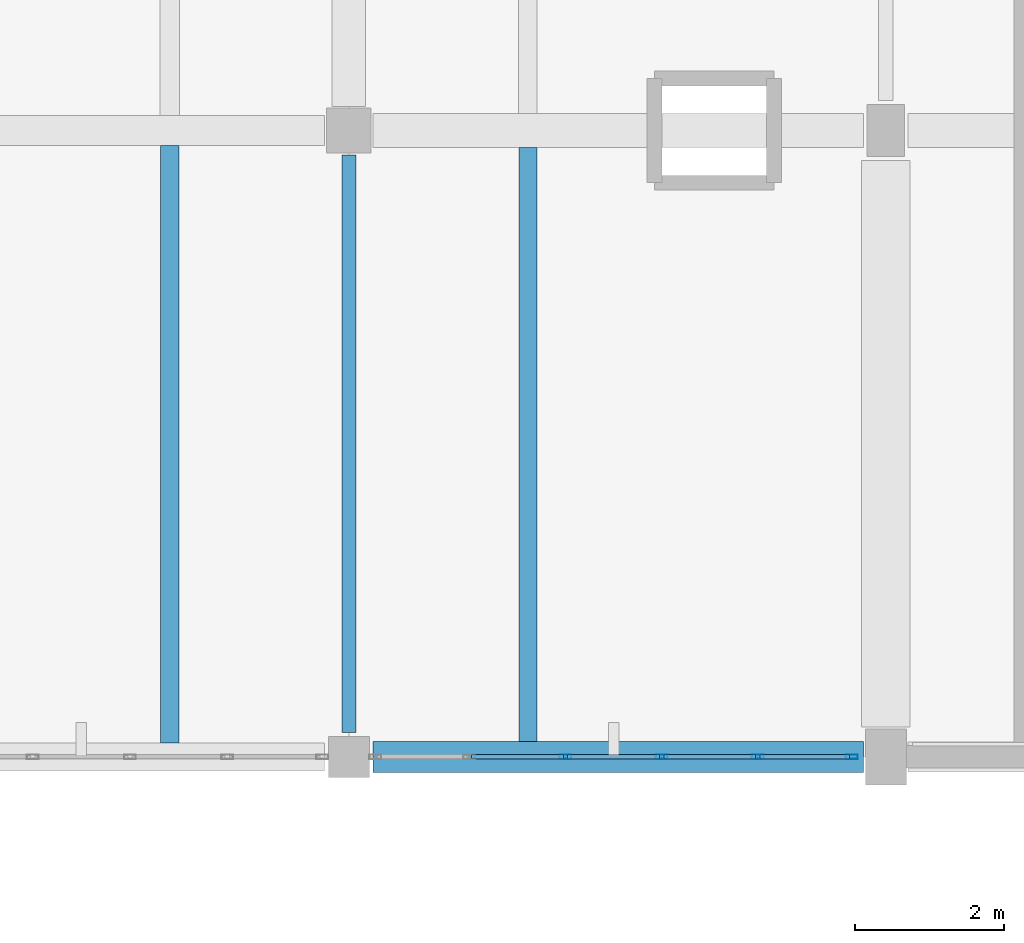
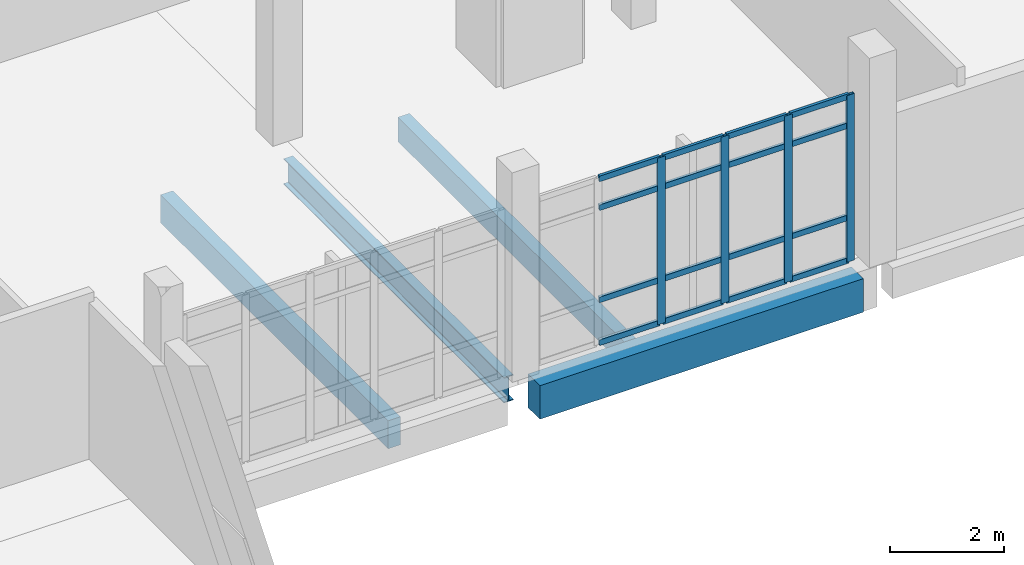
# One storey, part 29 of 62: 20 members, 4 beams, 1 element without a shape of its own.
"""IFC4 building model written with IfcOpenShell, lengths in metres."""

from ifc_helpers import new_model, si_unit, direction, frame, origin, origin_2d, place, context, subcontext, project, spatial, rectangle, hollow_rectangle, i_section, extrude, material, material_profile, profile_set, type_object, element, aggregate, save


model = new_model("IFC4")

# Units and contexts
model_context = context("Model", 3, precision=1e-05, world=origin(), true_north=direction((0.0, 1.0)))
body_context = subcontext(model_context, "Body", "Model", "MODEL_VIEW")
ifc_project = project(units=[si_unit("LENGTHUNIT", "METRE"), si_unit("AREAUNIT", "SQUARE_METRE"), si_unit("VOLUMEUNIT", "CUBIC_METRE"), si_unit("PLANEANGLEUNIT", "RADIAN"), si_unit("MASSUNIT", "GRAM", prefix="KILO")], contexts=[model_context])

# Site, building, storey
site_placement = place(None, origin())
site = spatial("IfcSite", under=ifc_project, at=site_placement, CompositionType="ELEMENT")
building_placement = place(site_placement, origin())
building = spatial("IfcBuilding", under=site, at=building_placement, Name="Kalluvel Institute of Natural Sciences", CompositionType="ELEMENT")
storey_placement = place(building_placement, frame((0.0, 0.0, 27.89990234375)))
storey = spatial("IfcBuildingStorey", under=building, at=storey_placement, Name="L06", CompositionType="ELEMENT", Elevation=27.89990234375)

# Beams
ifc_material_1 = material(Name="Steel E350 Grade 350", Category="steel")
ifc_material_profile_1 = material_profile(ifc_material_1, i_section(OverallWidth=0.18994140625, OverallDepth=0.550048828125, WebThickness=0.01123046875, FlangeThickness=0.019287109375, FilletRadius=0.01806640625, at=origin_2d()), Name="ISMB 550")
ifc_profile_set_1 = profile_set([ifc_material_profile_1], Name="Steel E350 Grade 350")
beam_type_1 = type_object("IfcBeamType", Name="BM-ISMB550", PredefinedType="BEAM", material=ifc_profile_set_1)
beam_1_placement = place(storey_placement, frame((64.39990234375, 103.125, -0.594970703125), z_axis=(0.0, 1.0, 0.0), x_axis=(-1.0, 0.0, 0.0)))
element("IfcBeam", 1, at=beam_1_placement, inside=storey, type_object=beam_type_1, Name="L06 girder GIR-L06-NS-X644-Y1028", PredefinedType="BEAM", context=body_context, shape_type="SweptSolid", body=[
    extrude(i_section(OverallWidth=0.18994140625, OverallDepth=0.550048828125, WebThickness=0.01123046875, FlangeThickness=0.019287109375, FilletRadius=0.01806640625, at=origin_2d()), origin(), (0.0, 0.0, 1.0), 7.75),
])
ifc_material_2 = material(Name="Concrete M40", Category="concrete")
ifc_material_profile_2 = material_profile(ifc_material_2, rectangle(XDim=0.419921875, YDim=0.719970703125, at=origin_2d()), Name="RCB 420x720")
ifc_profile_set_2 = profile_set([ifc_material_profile_2], Name="Concrete M40")
beam_type_2 = type_object("IfcBeamType", Name="BM-RC420x720", PredefinedType="BEAM", material=ifc_profile_set_2)
beam_2_placement = place(storey_placement, frame((64.72509765625, 102.800048828125, -0.679931640625), z_axis=(1.0, 0.0, 0.0), x_axis=(0.0, 1.0, 0.0)))
element("IfcBeam", 2, at=beam_2_placement, inside=storey, type_object=beam_type_2, Name="L06 girder GIR-L06-EW-X644-Y1028", PredefinedType="BEAM", context=body_context, shape_type="SweptSolid", body=[
    extrude(rectangle(XDim=0.419921875, YDim=0.719970703125, at=origin_2d()), origin(), (0.0, 0.0, 1.0), 6.574951171875),
])

# Curtain wall, members
ifc_material_3 = material(Name="Aluminium AW-6063 T6", Category="aluminium")
curtain_wall_type = type_object("IfcCurtainWallType", Name="CW-WET-45", PredefinedType="USERDEFINED", material=ifc_material_3)
curtain_wall_placement = place(storey_placement, origin())
curtain_wall = element("IfcCurtainWall", 3, at=curtain_wall_placement, inside=storey, type_object=curtain_wall_type, Name="L06 Gothic lancet curtain wall CWA-L06-X647-Y1028", ObjectType="UNITISED LANCET FACADE", PredefinedType="USERDEFINED")
ifc_material_profile_3 = material_profile(ifc_material_3, hollow_rectangle(XDim=0.06005859375, YDim=0.159912109375, WallThickness=0.00390625, at=origin_2d()), Name="CWM 60x160")
ifc_profile_set_3 = profile_set([ifc_material_profile_3], Name="Aluminium AW-6063 T6")
member_type_1 = type_object("IfcMemberType", Name="CWM-60x160", PredefinedType="MULLION", material=ifc_profile_set_3)
member_1_placement = place(storey_placement, frame((67.304931640625, 102.800048828125, 0.0), z_axis=(0.0, 0.0, 1.0), x_axis=(0.0, 1.0, 0.0)))
member_1 = element("IfcMember", 4, at=member_1_placement, type_object=member_type_1, Name="CW-01 mullion 3", PredefinedType="MULLION", context=body_context, shape_type="SweptSolid", body=[
    extrude(hollow_rectangle(XDim=0.06005859375, YDim=0.159912109375, WallThickness=0.00390625, at=origin_2d()), origin(), (0.0, 0.0, 1.0), 3.580078125),
])
member_2_placement = place(storey_placement, frame((68.594970703125, 102.800048828125, 0.0), z_axis=(0.0, 0.0, 1.0), x_axis=(0.0, 1.0, 0.0)))
member_2 = element("IfcMember", 5, at=member_2_placement, type_object=member_type_1, Name="CW-01 mullion 4", PredefinedType="MULLION", context=body_context, shape_type="SweptSolid", body=[
    extrude(hollow_rectangle(XDim=0.06005859375, YDim=0.159912109375, WallThickness=0.00390625, at=origin_2d()), origin(), (0.0, 0.0, 1.0), 3.580078125),
])
member_3_placement = place(storey_placement, frame((69.885009765625, 102.800048828125, 0.0), z_axis=(0.0, 0.0, 1.0), x_axis=(0.0, 1.0, 0.0)))
member_3 = element("IfcMember", 6, at=member_3_placement, type_object=member_type_1, Name="CW-01 mullion 5", PredefinedType="MULLION", context=body_context, shape_type="SweptSolid", body=[
    extrude(hollow_rectangle(XDim=0.06005859375, YDim=0.159912109375, WallThickness=0.00390625, at=origin_2d()), origin(), (0.0, 0.0, 1.0), 3.580078125),
])
member_4_placement = place(storey_placement, frame((71.14501953125, 102.800048828125, 0.0), z_axis=(0.0, 0.0, 1.0), x_axis=(0.0, 1.0, 0.0)))
member_4 = element("IfcMember", 7, at=member_4_placement, type_object=member_type_1, Name="CW-01 mullion 6", PredefinedType="MULLION", context=body_context, shape_type="SweptSolid", body=[
    extrude(hollow_rectangle(XDim=0.06005859375, YDim=0.159912109375, WallThickness=0.00390625, at=origin_2d()), origin(), (0.0, 0.0, 1.0), 3.580078125),
])
ifc_material_profile_4 = material_profile(ifc_material_3, hollow_rectangle(XDim=0.06005859375, YDim=0.1201171875, WallThickness=0.00390625, at=origin_2d()), Name="CWT 60x120")
ifc_profile_set_4 = profile_set([ifc_material_profile_4], Name="Aluminium AW-6063 T6")
member_type_2 = type_object("IfcMemberType", Name="CWT-60x120", PredefinedType="USERDEFINED", material=ifc_profile_set_4)
member_5_placement = place(storey_placement, frame((66.044921875, 102.800048828125, 0.030029296875), z_axis=(1.0, 0.0, 0.0), x_axis=(0.0, 1.0, 0.0)))
member_5 = element("IfcMember", 8, at=member_5_placement, type_object=member_type_2, Name="CW-01 transom 2.1", ObjectType="TRANSOM", PredefinedType="USERDEFINED", context=body_context, shape_type="SweptSolid", body=[
    extrude(hollow_rectangle(XDim=0.06005859375, YDim=0.1201171875, WallThickness=0.00390625, at=origin_2d()), origin(), (0.0, 0.0, 1.0), 1.22998046875),
])
member_6_placement = place(storey_placement, frame((66.044921875, 102.800048828125, 0.9501953125), z_axis=(1.0, 0.0, 0.0), x_axis=(0.0, 1.0, 0.0)))
member_6 = element("IfcMember", 9, at=member_6_placement, type_object=member_type_2, Name="CW-01 transom 2.2", ObjectType="TRANSOM", PredefinedType="USERDEFINED", context=body_context, shape_type="SweptSolid", body=[
    extrude(hollow_rectangle(XDim=0.06005859375, YDim=0.1201171875, WallThickness=0.00390625, at=origin_2d()), origin(), (0.0, 0.0, 1.0), 1.22998046875),
])
member_7_placement = place(storey_placement, frame((66.044921875, 102.800048828125, 2.93017578125), z_axis=(1.0, 0.0, 0.0), x_axis=(0.0, 1.0, 0.0)))
member_7 = element("IfcMember", 10, at=member_7_placement, type_object=member_type_2, Name="CW-01 transom 2.3", ObjectType="TRANSOM", PredefinedType="USERDEFINED", context=body_context, shape_type="SweptSolid", body=[
    extrude(hollow_rectangle(XDim=0.06005859375, YDim=0.1201171875, WallThickness=0.00390625, at=origin_2d()), origin(), (0.0, 0.0, 1.0), 1.22998046875),
])
member_8_placement = place(storey_placement, frame((66.044921875, 102.800048828125, 3.550048828125), z_axis=(1.0, 0.0, 0.0), x_axis=(0.0, 1.0, 0.0)))
member_8 = element("IfcMember", 11, at=member_8_placement, type_object=member_type_2, Name="CW-01 transom 2.4", ObjectType="TRANSOM", PredefinedType="USERDEFINED", context=body_context, shape_type="SweptSolid", body=[
    extrude(hollow_rectangle(XDim=0.06005859375, YDim=0.1201171875, WallThickness=0.00390625, at=origin_2d()), origin(), (0.0, 0.0, 1.0), 1.22998046875),
])
member_9_placement = place(storey_placement, frame((67.3349609375, 102.800048828125, 0.030029296875), z_axis=(1.0, 0.0, 0.0), x_axis=(0.0, 1.0, 0.0)))
member_9 = element("IfcMember", 12, at=member_9_placement, type_object=member_type_2, Name="CW-01 transom 3.1", ObjectType="TRANSOM", PredefinedType="USERDEFINED", context=body_context, shape_type="SweptSolid", body=[
    extrude(hollow_rectangle(XDim=0.06005859375, YDim=0.1201171875, WallThickness=0.00390625, at=origin_2d()), origin(), (0.0, 0.0, 1.0), 1.22998046875),
])
member_10_placement = place(storey_placement, frame((67.3349609375, 102.800048828125, 0.9501953125), z_axis=(1.0, 0.0, 0.0), x_axis=(0.0, 1.0, 0.0)))
member_10 = element("IfcMember", 13, at=member_10_placement, type_object=member_type_2, Name="CW-01 transom 3.2", ObjectType="TRANSOM", PredefinedType="USERDEFINED", context=body_context, shape_type="SweptSolid", body=[
    extrude(hollow_rectangle(XDim=0.06005859375, YDim=0.1201171875, WallThickness=0.00390625, at=origin_2d()), origin(), (0.0, 0.0, 1.0), 1.22998046875),
])
member_11_placement = place(storey_placement, frame((67.3349609375, 102.800048828125, 2.93017578125), z_axis=(1.0, 0.0, 0.0), x_axis=(0.0, 1.0, 0.0)))
member_11 = element("IfcMember", 14, at=member_11_placement, type_object=member_type_2, Name="CW-01 transom 3.3", ObjectType="TRANSOM", PredefinedType="USERDEFINED", context=body_context, shape_type="SweptSolid", body=[
    extrude(hollow_rectangle(XDim=0.06005859375, YDim=0.1201171875, WallThickness=0.00390625, at=origin_2d()), origin(), (0.0, 0.0, 1.0), 1.22998046875),
])
member_12_placement = place(storey_placement, frame((67.3349609375, 102.800048828125, 3.550048828125), z_axis=(1.0, 0.0, 0.0), x_axis=(0.0, 1.0, 0.0)))
member_12 = element("IfcMember", 15, at=member_12_placement, type_object=member_type_2, Name="CW-01 transom 3.4", ObjectType="TRANSOM", PredefinedType="USERDEFINED", context=body_context, shape_type="SweptSolid", body=[
    extrude(hollow_rectangle(XDim=0.06005859375, YDim=0.1201171875, WallThickness=0.00390625, at=origin_2d()), origin(), (0.0, 0.0, 1.0), 1.22998046875),
])
member_13_placement = place(storey_placement, frame((68.625, 102.800048828125, 0.030029296875), z_axis=(1.0, 0.0, 0.0), x_axis=(0.0, 1.0, 0.0)))
member_13 = element("IfcMember", 16, at=member_13_placement, type_object=member_type_2, Name="CW-01 transom 4.1", ObjectType="TRANSOM", PredefinedType="USERDEFINED", context=body_context, shape_type="SweptSolid", body=[
    extrude(hollow_rectangle(XDim=0.06005859375, YDim=0.1201171875, WallThickness=0.00390625, at=origin_2d()), origin(), (0.0, 0.0, 1.0), 1.22998046875),
])
member_14_placement = place(storey_placement, frame((68.625, 102.800048828125, 0.9501953125), z_axis=(1.0, 0.0, 0.0), x_axis=(0.0, 1.0, 0.0)))
member_14 = element("IfcMember", 17, at=member_14_placement, type_object=member_type_2, Name="CW-01 transom 4.2", ObjectType="TRANSOM", PredefinedType="USERDEFINED", context=body_context, shape_type="SweptSolid", body=[
    extrude(hollow_rectangle(XDim=0.06005859375, YDim=0.1201171875, WallThickness=0.00390625, at=origin_2d()), origin(), (0.0, 0.0, 1.0), 1.22998046875),
])
member_15_placement = place(storey_placement, frame((68.625, 102.800048828125, 2.93017578125), z_axis=(1.0, 0.0, 0.0), x_axis=(0.0, 1.0, 0.0)))
member_15 = element("IfcMember", 18, at=member_15_placement, type_object=member_type_2, Name="CW-01 transom 4.3", ObjectType="TRANSOM", PredefinedType="USERDEFINED", context=body_context, shape_type="SweptSolid", body=[
    extrude(hollow_rectangle(XDim=0.06005859375, YDim=0.1201171875, WallThickness=0.00390625, at=origin_2d()), origin(), (0.0, 0.0, 1.0), 1.22998046875),
])
member_16_placement = place(storey_placement, frame((68.625, 102.800048828125, 3.550048828125), z_axis=(1.0, 0.0, 0.0), x_axis=(0.0, 1.0, 0.0)))
member_16 = element("IfcMember", 19, at=member_16_placement, type_object=member_type_2, Name="CW-01 transom 4.4", ObjectType="TRANSOM", PredefinedType="USERDEFINED", context=body_context, shape_type="SweptSolid", body=[
    extrude(hollow_rectangle(XDim=0.06005859375, YDim=0.1201171875, WallThickness=0.00390625, at=origin_2d()), origin(), (0.0, 0.0, 1.0), 1.22998046875),
])
member_17_placement = place(storey_placement, frame((69.9150390625, 102.800048828125, 0.030029296875), z_axis=(1.0, 0.0, 0.0), x_axis=(0.0, 1.0, 0.0)))
member_17 = element("IfcMember", 20, at=member_17_placement, type_object=member_type_2, Name="CW-01 transom 5.1", ObjectType="TRANSOM", PredefinedType="USERDEFINED", context=body_context, shape_type="SweptSolid", body=[
    extrude(hollow_rectangle(XDim=0.06005859375, YDim=0.1201171875, WallThickness=0.00390625, at=origin_2d()), origin(), (0.0, 0.0, 1.0), 1.199951171875),
])
member_18_placement = place(storey_placement, frame((69.9150390625, 102.800048828125, 0.9501953125), z_axis=(1.0, 0.0, 0.0), x_axis=(0.0, 1.0, 0.0)))
member_18 = element("IfcMember", 21, at=member_18_placement, type_object=member_type_2, Name="CW-01 transom 5.2", ObjectType="TRANSOM", PredefinedType="USERDEFINED", context=body_context, shape_type="SweptSolid", body=[
    extrude(hollow_rectangle(XDim=0.06005859375, YDim=0.1201171875, WallThickness=0.00390625, at=origin_2d()), origin(), (0.0, 0.0, 1.0), 1.199951171875),
])
member_19_placement = place(storey_placement, frame((69.9150390625, 102.800048828125, 2.93017578125), z_axis=(1.0, 0.0, 0.0), x_axis=(0.0, 1.0, 0.0)))
member_19 = element("IfcMember", 22, at=member_19_placement, type_object=member_type_2, Name="CW-01 transom 5.3", ObjectType="TRANSOM", PredefinedType="USERDEFINED", context=body_context, shape_type="SweptSolid", body=[
    extrude(hollow_rectangle(XDim=0.06005859375, YDim=0.1201171875, WallThickness=0.00390625, at=origin_2d()), origin(), (0.0, 0.0, 1.0), 1.199951171875),
])
member_20_placement = place(storey_placement, frame((69.9150390625, 102.800048828125, 3.550048828125), z_axis=(1.0, 0.0, 0.0), x_axis=(0.0, 1.0, 0.0)))
member_20 = element("IfcMember", 23, at=member_20_placement, type_object=member_type_2, Name="CW-01 transom 5.4", ObjectType="TRANSOM", PredefinedType="USERDEFINED", context=body_context, shape_type="SweptSolid", body=[
    extrude(hollow_rectangle(XDim=0.06005859375, YDim=0.1201171875, WallThickness=0.00390625, at=origin_2d()), origin(), (0.0, 0.0, 1.0), 1.199951171875),
])
aggregate(curtain_wall, [member_1, member_2, member_3, member_4, member_5, member_6, member_7, member_8, member_9, member_10, member_11, member_12, member_13, member_14, member_15, member_16, member_17, member_18, member_19, member_20])

# Beams
ifc_material_profile_5 = material_profile(ifc_material_2, rectangle(XDim=0.239990234375, YDim=0.52001953125, at=origin_2d()), Name="WAF 240x520")
ifc_profile_set_5 = profile_set([ifc_material_profile_5], Name="Concrete M40")
beam_type_3 = type_object("IfcBeamType", Name="WJ-240x520", PredefinedType="JOIST", material=ifc_profile_set_5)
beam_3_placement = place(storey_placement, frame((66.800048828125, 103.010009765625, -0.579833984375), z_axis=(0.0, 1.0, 0.0), x_axis=(-1.0, 0.0, 0.0)))
element("IfcBeam", 24, at=beam_3_placement, inside=storey, type_object=beam_type_3, Name="L06 waffle joist RIB-L06-0481", PredefinedType="JOIST", context=body_context, shape_type="SweptSolid", body=[
    extrude(rectangle(XDim=0.239990234375, YDim=0.52001953125, at=origin_2d()), origin(), (0.0, 0.0, 1.0), 7.965087890625),
])
ifc_material_profile_6 = material_profile(ifc_material_2, rectangle(XDim=0.25, YDim=0.60009765625, at=origin_2d()), Name="WAF 250x600")
ifc_profile_set_6 = profile_set([ifc_material_profile_6], Name="Concrete M40")
beam_type_4 = type_object("IfcBeamType", Name="WJ-250x600", PredefinedType="JOIST", material=ifc_profile_set_6)
beam_4_placement = place(storey_placement, frame((62.0, 102.989990234375, -0.619873046875), z_axis=(0.0, 1.0, 0.0), x_axis=(-1.0, 0.0, 0.0)))
element("IfcBeam", 25, at=beam_4_placement, inside=storey, type_object=beam_type_4, Name="L06 waffle joist RIB-L06-0476", PredefinedType="JOIST", context=body_context, shape_type="SweptSolid", body=[
    extrude(rectangle(XDim=0.25, YDim=0.60009765625, at=origin_2d()), origin(), (0.0, 0.0, 1.0), 8.010009765625),
])

save(model, "model.ifc")
